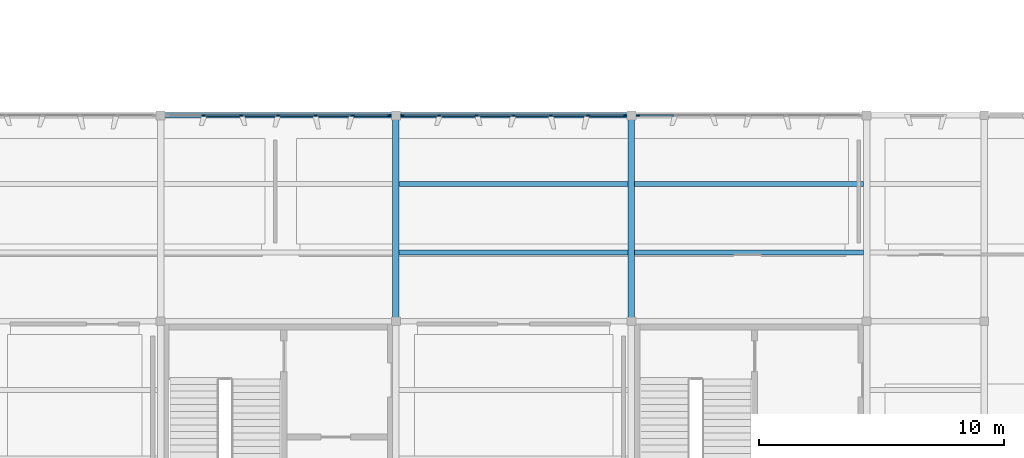
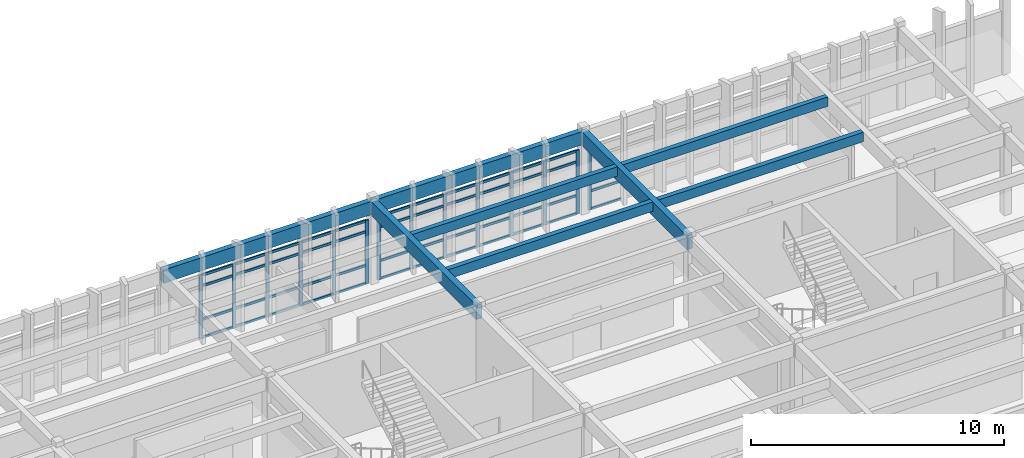
# One storey, part 9 of 18: 60 members, 8 beams, 3 elements without a shape of their own.
"""IFC4 building model written with IfcOpenShell, lengths in metres."""

from ifc_helpers import new_model, si_unit, direction, frame, origin, origin_2d, place, context, subcontext, project, spatial, rectangle, extrude, material, layer, layer_set, material_profile, profile_set, type_object, element, aggregate, save


model = new_model("IFC4")

# Units and contexts
model_context = context("Model", 3, precision=1e-05, world=origin(), true_north=direction((0.0, 1.0)))
body_context = subcontext(model_context, "Body", "Model", "MODEL_VIEW")
ifc_project = project(units=[si_unit("LENGTHUNIT", "METRE"), si_unit("AREAUNIT", "SQUARE_METRE"), si_unit("VOLUMEUNIT", "CUBIC_METRE"), si_unit("PLANEANGLEUNIT", "RADIAN"), si_unit("MASSUNIT", "GRAM", prefix="KILO")], contexts=[model_context])

# Site, building, storey
site_placement = place(None, origin())
site = spatial("IfcSite", under=ifc_project, at=site_placement, CompositionType="ELEMENT")
building_placement = place(site_placement, origin())
building = spatial("IfcBuilding", under=site, at=building_placement, Name="Kolvemor Railside Polytechnic", CompositionType="ELEMENT")
storey_placement = place(building_placement, frame((0.0, 0.0, 18.60009765625)))
storey = spatial("IfcBuildingStorey", under=building, at=storey_placement, Name="L04", CompositionType="ELEMENT", Elevation=18.60009765625)

# Beams
ifc_material_1 = material(Name="Glulam GL28h", Category="wood")
ifc_material_profile_1 = material_profile(ifc_material_1, rectangle(XDim=0.264892578125, YDim=0.679931640625, at=origin_2d()), Name="GL265x680")
ifc_profile_set_1 = profile_set([ifc_material_profile_1], Name="Glulam GL28h")
beam_type_1 = type_object("IfcBeamType", Name="BM-GL-GIRD2", PredefinedType="BEAM", material=ifc_profile_set_1)
for number, where, z_axis, x_axis, name in (
    (1, (96.0, 30.0, 3.6298828125), (0.0, 1.0, 0.0), (-1.0, 0.0, 0.0), "Primary Girder L05-GY 1567"),
    (2, (105.60009765625, 30.0, 3.6298828125), (0.0, 1.0, 0.0), (-1.0, 0.0, 0.0), "Primary Girder L05-GY 1571"),
):
    element("IfcBeam", number, at=place(storey_placement, frame(where, z_axis=z_axis, x_axis=x_axis)), inside=storey, type_object=beam_type_1, Name=name, PredefinedType="BEAM", context=body_context, shape_type="SweptSolid", body=[
        extrude(rectangle(XDim=0.264892578125, YDim=0.679931640625, at=origin_2d()), origin(), (0.0, 0.0, 1.0), 8.39990234375),
    ])
ifc_material_2 = material(Name="Glulam GL28h", Category="wood")
ifc_material_profile_2 = material_profile(ifc_material_2, rectangle(XDim=0.239990234375, YDim=0.639892578125, at=origin_2d()), Name="GL240x640")
ifc_profile_set_2 = profile_set([ifc_material_profile_2], Name="Glulam GL28h")
beam_type_2 = type_object("IfcBeamType", Name="BM-GL-GIRD5", PredefinedType="BEAM", material=ifc_profile_set_2)
for number, where, z_axis, x_axis, name in (
    (3, (86.39990234375, 38.39990234375, 3.64990234375), (1.0, 0.0, 0.0), (0.0, 1.0, 0.0), "Primary Girder L05-GX 1545"),
    (4, (96.0, 38.39990234375, 3.64990234375), (1.0, 0.0, 0.0), (0.0, 1.0, 0.0), "Primary Girder L05-GX 1546"),
):
    element("IfcBeam", number, at=place(storey_placement, frame(where, z_axis=z_axis, x_axis=x_axis)), inside=storey, type_object=beam_type_2, Name=name, PredefinedType="BEAM", context=body_context, shape_type="SweptSolid", body=[
        extrude(rectangle(XDim=0.239990234375, YDim=0.639892578125, at=origin_2d()), origin(), (0.0, 0.0, 1.0), 9.60009765625),
    ])
ifc_material_3 = material(Name="Glulam GL28h", Category="wood")
ifc_material_profile_3 = material_profile(ifc_material_3, rectangle(XDim=0.215087890625, YDim=0.449951171875, at=origin_2d()), Name="GL215x450")
ifc_profile_set_3 = profile_set([ifc_material_profile_3], Name="Glulam GL28h")
beam_type_3 = type_object("IfcBeamType", Name="BM-GL-JST2", PredefinedType="JOIST", material=ifc_profile_set_3)
for number, where, z_axis, x_axis, name in (
    (5, (96.133056640625, 32.800048828125, 3.744873046875), (1.0, 0.0, 0.0), (0.0, 1.0, 0.0), "Floor Joist L05-J1610"),
    (6, (96.133056640625, 35.60009765625, 3.744873046875), (1.0, 0.0, 0.0), (0.0, 1.0, 0.0), "Floor Joist L05-J1611"),
    (7, (105.73291015625, 32.800048828125, 3.744873046875), (1.0, 0.0, 0.0), (0.0, 1.0, 0.0), "Floor Joist L05-J1616"),
    (8, (105.73291015625, 35.60009765625, 3.744873046875), (1.0, 0.0, 0.0), (0.0, 1.0, 0.0), "Floor Joist L05-J1617"),
):
    element("IfcBeam", number, at=place(storey_placement, frame(where, z_axis=z_axis, x_axis=x_axis)), inside=storey, type_object=beam_type_3, Name=name, PredefinedType="JOIST", context=body_context, shape_type="SweptSolid", body=[
        extrude(rectangle(XDim=0.215087890625, YDim=0.449951171875, at=origin_2d()), origin(), (0.0, 0.0, 1.0), 9.333984375),
    ])

# Curtain wall, members
ifc_material_4 = material(Name="Anodised marine aluminium and laminated low-E glass", Category="aluminium")
ifc_layer = layer(ifc_material_4, 0.179931640625, Name="CW-UNIT-STD")
ifc_layer_set = layer_set([ifc_layer], Name="Anodised marine aluminium and laminated low-E glass")
curtain_wall_type = type_object("IfcCurtainWallType", Name="CW-UNIT-STD", PredefinedType="USERDEFINED", material=ifc_layer_set)
curtain_wall_1_placement = place(storey_placement, origin())
curtain_wall_1 = element("IfcCurtainWall", 9, at=curtain_wall_1_placement, inside=storey, type_object=curtain_wall_type, Name="Curtain Wall L04-133", ObjectType="UNITISED CURTAIN WALL", PredefinedType="USERDEFINED")
ifc_material_5 = material(Name="Anodised marine aluminium 6063-T6", Category="aluminium")
ifc_material_profile_4 = material_profile(ifc_material_5, rectangle(XDim=0.06494140625, YDim=0.14990234375, at=origin_2d()), Name="CW-MUL-65x150")
ifc_profile_set_4 = profile_set([ifc_material_profile_4], Name="Anodised marine aluminium 6063-T6")
member_type_1 = type_object("IfcMemberType", Name="CWM-65x150", PredefinedType="MULLION", material=ifc_profile_set_4)
member_1_placement = place(storey_placement, frame((95.7275390625, 38.39990234375, 0.0), z_axis=(0.0, 0.0, 1.0), x_axis=(0.0, -1.0, 0.0)))
member_1 = element("IfcMember", 10, at=member_1_placement, type_object=member_type_1, Name="CW-STD mullion 1", PredefinedType="MULLION", context=body_context, shape_type="SweptSolid", body=[
    extrude(rectangle(XDim=0.06494140625, YDim=0.14990234375, at=origin_2d()), origin(), (0.0, 0.0, 1.0), 3.06982421875),
])
member_2_placement = place(storey_placement, frame((94.239990234375, 38.39990234375, 0.0), z_axis=(0.0, 0.0, 1.0), x_axis=(0.0, -1.0, 0.0)))
member_2 = element("IfcMember", 11, at=member_2_placement, type_object=member_type_1, Name="CW-STD mullion 2", PredefinedType="MULLION", context=body_context, shape_type="SweptSolid", body=[
    extrude(rectangle(XDim=0.06494140625, YDim=0.14990234375, at=origin_2d()), origin(), (0.0, 0.0, 1.0), 3.06982421875),
])
member_3_placement = place(storey_placement, frame((92.719970703125, 38.39990234375, 0.0), z_axis=(0.0, 0.0, 1.0), x_axis=(0.0, -1.0, 0.0)))
member_3 = element("IfcMember", 12, at=member_3_placement, type_object=member_type_1, Name="CW-STD mullion 3", PredefinedType="MULLION", context=body_context, shape_type="SweptSolid", body=[
    extrude(rectangle(XDim=0.06494140625, YDim=0.14990234375, at=origin_2d()), origin(), (0.0, 0.0, 1.0), 3.06982421875),
])
member_4_placement = place(storey_placement, frame((91.199951171875, 38.39990234375, 0.0), z_axis=(0.0, 0.0, 1.0), x_axis=(0.0, -1.0, 0.0)))
member_4 = element("IfcMember", 13, at=member_4_placement, type_object=member_type_1, Name="CW-STD mullion 4", PredefinedType="MULLION", context=body_context, shape_type="SweptSolid", body=[
    extrude(rectangle(XDim=0.06494140625, YDim=0.14990234375, at=origin_2d()), origin(), (0.0, 0.0, 1.0), 3.06982421875),
])
member_5_placement = place(storey_placement, frame((89.679931640625, 38.39990234375, 0.0), z_axis=(0.0, 0.0, 1.0), x_axis=(0.0, -1.0, 0.0)))
member_5 = element("IfcMember", 14, at=member_5_placement, type_object=member_type_1, Name="CW-STD mullion 5", PredefinedType="MULLION", context=body_context, shape_type="SweptSolid", body=[
    extrude(rectangle(XDim=0.06494140625, YDim=0.14990234375, at=origin_2d()), origin(), (0.0, 0.0, 1.0), 3.06982421875),
])
member_6_placement = place(storey_placement, frame((88.159912109375, 38.39990234375, 0.0), z_axis=(0.0, 0.0, 1.0), x_axis=(0.0, -1.0, 0.0)))
member_6 = element("IfcMember", 15, at=member_6_placement, type_object=member_type_1, Name="CW-STD mullion 6", PredefinedType="MULLION", context=body_context, shape_type="SweptSolid", body=[
    extrude(rectangle(XDim=0.06494140625, YDim=0.14990234375, at=origin_2d()), origin(), (0.0, 0.0, 1.0), 3.06982421875),
])

curtain_wall_2_placement = place(storey_placement, origin())
curtain_wall_2 = element("IfcCurtainWall", 16, at=curtain_wall_2_placement, inside=storey, type_object=curtain_wall_type, Name="Curtain Wall L04-134", ObjectType="UNITISED CURTAIN WALL", PredefinedType="USERDEFINED")
member_7_placement = place(storey_placement, frame((105.327392578125, 38.39990234375, 0.0), z_axis=(0.0, 0.0, 1.0), x_axis=(0.0, -1.0, 0.0)))
member_7 = element("IfcMember", 17, at=member_7_placement, type_object=member_type_1, Name="CW-STD mullion 1", PredefinedType="MULLION", context=body_context, shape_type="SweptSolid", body=[
    extrude(rectangle(XDim=0.06494140625, YDim=0.14990234375, at=origin_2d()), origin(), (0.0, 0.0, 1.0), 3.06982421875),
])
member_8_placement = place(storey_placement, frame((103.840087890625, 38.39990234375, 0.0), z_axis=(0.0, 0.0, 1.0), x_axis=(0.0, -1.0, 0.0)))
member_8 = element("IfcMember", 18, at=member_8_placement, type_object=member_type_1, Name="CW-STD mullion 2", PredefinedType="MULLION", context=body_context, shape_type="SweptSolid", body=[
    extrude(rectangle(XDim=0.06494140625, YDim=0.14990234375, at=origin_2d()), origin(), (0.0, 0.0, 1.0), 3.06982421875),
])
member_9_placement = place(storey_placement, frame((102.320068359375, 38.39990234375, 0.0), z_axis=(0.0, 0.0, 1.0), x_axis=(0.0, -1.0, 0.0)))
member_9 = element("IfcMember", 19, at=member_9_placement, type_object=member_type_1, Name="CW-STD mullion 3", PredefinedType="MULLION", context=body_context, shape_type="SweptSolid", body=[
    extrude(rectangle(XDim=0.06494140625, YDim=0.14990234375, at=origin_2d()), origin(), (0.0, 0.0, 1.0), 3.06982421875),
])
member_10_placement = place(storey_placement, frame((100.800048828125, 38.39990234375, 0.0), z_axis=(0.0, 0.0, 1.0), x_axis=(0.0, -1.0, 0.0)))
member_10 = element("IfcMember", 20, at=member_10_placement, type_object=member_type_1, Name="CW-STD mullion 4", PredefinedType="MULLION", context=body_context, shape_type="SweptSolid", body=[
    extrude(rectangle(XDim=0.06494140625, YDim=0.14990234375, at=origin_2d()), origin(), (0.0, 0.0, 1.0), 3.06982421875),
])
member_11_placement = place(storey_placement, frame((99.280029296875, 38.39990234375, 0.0), z_axis=(0.0, 0.0, 1.0), x_axis=(0.0, -1.0, 0.0)))
member_11 = element("IfcMember", 21, at=member_11_placement, type_object=member_type_1, Name="CW-STD mullion 5", PredefinedType="MULLION", context=body_context, shape_type="SweptSolid", body=[
    extrude(rectangle(XDim=0.06494140625, YDim=0.14990234375, at=origin_2d()), origin(), (0.0, 0.0, 1.0), 3.06982421875),
])
member_12_placement = place(storey_placement, frame((97.760009765625, 38.39990234375, 0.0), z_axis=(0.0, 0.0, 1.0), x_axis=(0.0, -1.0, 0.0)))
member_12 = element("IfcMember", 22, at=member_12_placement, type_object=member_type_1, Name="CW-STD mullion 6", PredefinedType="MULLION", context=body_context, shape_type="SweptSolid", body=[
    extrude(rectangle(XDim=0.06494140625, YDim=0.14990234375, at=origin_2d()), origin(), (0.0, 0.0, 1.0), 3.06982421875),
])
member_13_placement = place(storey_placement, frame((96.2724609375, 38.39990234375, 0.0), z_axis=(0.0, 0.0, 1.0), x_axis=(0.0, -1.0, 0.0)))
member_13 = element("IfcMember", 23, at=member_13_placement, type_object=member_type_1, Name="CW-STD mullion 7", PredefinedType="MULLION", context=body_context, shape_type="SweptSolid", body=[
    extrude(rectangle(XDim=0.06494140625, YDim=0.14990234375, at=origin_2d()), origin(), (0.0, 0.0, 1.0), 3.06982421875),
])

# Curtain wall, member
curtain_wall_3_placement = place(storey_placement, origin())
curtain_wall_3 = element("IfcCurtainWall", 24, at=curtain_wall_3_placement, inside=storey, type_object=curtain_wall_type, Name="Curtain Wall L04-135", ObjectType="UNITISED CURTAIN WALL", PredefinedType="USERDEFINED")
member_14_placement = place(storey_placement, frame((105.87255859375, 38.39990234375, 0.0), z_axis=(0.0, 0.0, 1.0), x_axis=(0.0, -1.0, 0.0)))
member_14 = element("IfcMember", 25, at=member_14_placement, type_object=member_type_1, Name="CW-STD mullion 7", PredefinedType="MULLION", context=body_context, shape_type="SweptSolid", body=[
    extrude(rectangle(XDim=0.06494140625, YDim=0.14990234375, at=origin_2d()), origin(), (0.0, 0.0, 1.0), 3.06982421875),
])

# Member
ifc_material_6 = material(Name="Anodised marine aluminium 6063-T6", Category="aluminium")
ifc_material_profile_5 = material_profile(ifc_material_6, rectangle(XDim=0.06494140625, YDim=0.1201171875, at=origin_2d()), Name="CW-TRN-65x120")
ifc_profile_set_5 = profile_set([ifc_material_profile_5], Name="Anodised marine aluminium 6063-T6")
member_type_2 = type_object("IfcMemberType", Name="CWT-65x120", PredefinedType="USERDEFINED", material=ifc_profile_set_5)
member_15_placement = place(storey_placement, frame((95.695068359375, 38.39990234375, 0.032470703125), z_axis=(-1.0, 0.0, 0.0), x_axis=(0.0, -1.0, 0.0)))
member_15 = element("IfcMember", 26, at=member_15_placement, type_object=member_type_2, Name="CW-STD transom 1.1", ObjectType="TRANSOM", PredefinedType="USERDEFINED", context=body_context, shape_type="SweptSolid", body=[
    extrude(rectangle(XDim=0.06494140625, YDim=0.1201171875, at=origin_2d()), origin(), (0.0, 0.0, 1.0), 1.422607421875),
])

member_16_placement = place(storey_placement, frame((95.695068359375, 38.39990234375, 0.89990234375), z_axis=(-1.0, 0.0, 0.0), x_axis=(0.0, -1.0, 0.0)))
member_16 = element("IfcMember", 27, at=member_16_placement, type_object=member_type_2, Name="CW-STD transom 1.2", ObjectType="TRANSOM", PredefinedType="USERDEFINED", context=body_context, shape_type="SweptSolid", body=[
    extrude(rectangle(XDim=0.06494140625, YDim=0.1201171875, at=origin_2d()), origin(), (0.0, 0.0, 1.0), 1.422607421875),
])

member_17_placement = place(storey_placement, frame((95.695068359375, 38.39990234375, 2.52001953125), z_axis=(-1.0, 0.0, 0.0), x_axis=(0.0, -1.0, 0.0)))
member_17 = element("IfcMember", 28, at=member_17_placement, type_object=member_type_2, Name="CW-STD transom 1.3", ObjectType="TRANSOM", PredefinedType="USERDEFINED", context=body_context, shape_type="SweptSolid", body=[
    extrude(rectangle(XDim=0.06494140625, YDim=0.1201171875, at=origin_2d()), origin(), (0.0, 0.0, 1.0), 1.422607421875),
])

member_18_placement = place(storey_placement, frame((95.695068359375, 38.39990234375, 3.037353515625), z_axis=(-1.0, 0.0, 0.0), x_axis=(0.0, -1.0, 0.0)))
member_18 = element("IfcMember", 29, at=member_18_placement, type_object=member_type_2, Name="CW-STD transom 1.4", ObjectType="TRANSOM", PredefinedType="USERDEFINED", context=body_context, shape_type="SweptSolid", body=[
    extrude(rectangle(XDim=0.06494140625, YDim=0.1201171875, at=origin_2d()), origin(), (0.0, 0.0, 1.0), 1.422607421875),
])

member_19_placement = place(storey_placement, frame((94.20751953125, 38.39990234375, 0.032470703125), z_axis=(-1.0, 0.0, 0.0), x_axis=(0.0, -1.0, 0.0)))
member_19 = element("IfcMember", 30, at=member_19_placement, type_object=member_type_2, Name="CW-STD transom 2.1", ObjectType="TRANSOM", PredefinedType="USERDEFINED", context=body_context, shape_type="SweptSolid", body=[
    extrude(rectangle(XDim=0.06494140625, YDim=0.1201171875, at=origin_2d()), origin(), (0.0, 0.0, 1.0), 1.455078125),
])

member_20_placement = place(storey_placement, frame((94.20751953125, 38.39990234375, 0.89990234375), z_axis=(-1.0, 0.0, 0.0), x_axis=(0.0, -1.0, 0.0)))
member_20 = element("IfcMember", 31, at=member_20_placement, type_object=member_type_2, Name="CW-STD transom 2.2", ObjectType="TRANSOM", PredefinedType="USERDEFINED", context=body_context, shape_type="SweptSolid", body=[
    extrude(rectangle(XDim=0.06494140625, YDim=0.1201171875, at=origin_2d()), origin(), (0.0, 0.0, 1.0), 1.455078125),
])

member_21_placement = place(storey_placement, frame((94.20751953125, 38.39990234375, 2.52001953125), z_axis=(-1.0, 0.0, 0.0), x_axis=(0.0, -1.0, 0.0)))
member_21 = element("IfcMember", 32, at=member_21_placement, type_object=member_type_2, Name="CW-STD transom 2.3", ObjectType="TRANSOM", PredefinedType="USERDEFINED", context=body_context, shape_type="SweptSolid", body=[
    extrude(rectangle(XDim=0.06494140625, YDim=0.1201171875, at=origin_2d()), origin(), (0.0, 0.0, 1.0), 1.455078125),
])

member_22_placement = place(storey_placement, frame((94.20751953125, 38.39990234375, 3.037353515625), z_axis=(-1.0, 0.0, 0.0), x_axis=(0.0, -1.0, 0.0)))
member_22 = element("IfcMember", 33, at=member_22_placement, type_object=member_type_2, Name="CW-STD transom 2.4", ObjectType="TRANSOM", PredefinedType="USERDEFINED", context=body_context, shape_type="SweptSolid", body=[
    extrude(rectangle(XDim=0.06494140625, YDim=0.1201171875, at=origin_2d()), origin(), (0.0, 0.0, 1.0), 1.455078125),
])

member_23_placement = place(storey_placement, frame((92.6875, 38.39990234375, 0.032470703125), z_axis=(-1.0, 0.0, 0.0), x_axis=(0.0, -1.0, 0.0)))
member_23 = element("IfcMember", 34, at=member_23_placement, type_object=member_type_2, Name="CW-STD transom 3.1", ObjectType="TRANSOM", PredefinedType="USERDEFINED", context=body_context, shape_type="SweptSolid", body=[
    extrude(rectangle(XDim=0.06494140625, YDim=0.1201171875, at=origin_2d()), origin(), (0.0, 0.0, 1.0), 1.455078125),
])

member_24_placement = place(storey_placement, frame((92.6875, 38.39990234375, 0.89990234375), z_axis=(-1.0, 0.0, 0.0), x_axis=(0.0, -1.0, 0.0)))
member_24 = element("IfcMember", 35, at=member_24_placement, type_object=member_type_2, Name="CW-STD transom 3.2", ObjectType="TRANSOM", PredefinedType="USERDEFINED", context=body_context, shape_type="SweptSolid", body=[
    extrude(rectangle(XDim=0.06494140625, YDim=0.1201171875, at=origin_2d()), origin(), (0.0, 0.0, 1.0), 1.455078125),
])

member_25_placement = place(storey_placement, frame((92.6875, 38.39990234375, 2.52001953125), z_axis=(-1.0, 0.0, 0.0), x_axis=(0.0, -1.0, 0.0)))
member_25 = element("IfcMember", 36, at=member_25_placement, type_object=member_type_2, Name="CW-STD transom 3.3", ObjectType="TRANSOM", PredefinedType="USERDEFINED", context=body_context, shape_type="SweptSolid", body=[
    extrude(rectangle(XDim=0.06494140625, YDim=0.1201171875, at=origin_2d()), origin(), (0.0, 0.0, 1.0), 1.455078125),
])

member_26_placement = place(storey_placement, frame((92.6875, 38.39990234375, 3.037353515625), z_axis=(-1.0, 0.0, 0.0), x_axis=(0.0, -1.0, 0.0)))
member_26 = element("IfcMember", 37, at=member_26_placement, type_object=member_type_2, Name="CW-STD transom 3.4", ObjectType="TRANSOM", PredefinedType="USERDEFINED", context=body_context, shape_type="SweptSolid", body=[
    extrude(rectangle(XDim=0.06494140625, YDim=0.1201171875, at=origin_2d()), origin(), (0.0, 0.0, 1.0), 1.455078125),
])

member_27_placement = place(storey_placement, frame((91.16748046875, 38.39990234375, 0.032470703125), z_axis=(-1.0, 0.0, 0.0), x_axis=(0.0, -1.0, 0.0)))
member_27 = element("IfcMember", 38, at=member_27_placement, type_object=member_type_2, Name="CW-STD transom 4.1", ObjectType="TRANSOM", PredefinedType="USERDEFINED", context=body_context, shape_type="SweptSolid", body=[
    extrude(rectangle(XDim=0.06494140625, YDim=0.1201171875, at=origin_2d()), origin(), (0.0, 0.0, 1.0), 1.455078125),
])

member_28_placement = place(storey_placement, frame((91.16748046875, 38.39990234375, 0.89990234375), z_axis=(-1.0, 0.0, 0.0), x_axis=(0.0, -1.0, 0.0)))
member_28 = element("IfcMember", 39, at=member_28_placement, type_object=member_type_2, Name="CW-STD transom 4.2", ObjectType="TRANSOM", PredefinedType="USERDEFINED", context=body_context, shape_type="SweptSolid", body=[
    extrude(rectangle(XDim=0.06494140625, YDim=0.1201171875, at=origin_2d()), origin(), (0.0, 0.0, 1.0), 1.455078125),
])

member_29_placement = place(storey_placement, frame((91.16748046875, 38.39990234375, 2.52001953125), z_axis=(-1.0, 0.0, 0.0), x_axis=(0.0, -1.0, 0.0)))
member_29 = element("IfcMember", 40, at=member_29_placement, type_object=member_type_2, Name="CW-STD transom 4.3", ObjectType="TRANSOM", PredefinedType="USERDEFINED", context=body_context, shape_type="SweptSolid", body=[
    extrude(rectangle(XDim=0.06494140625, YDim=0.1201171875, at=origin_2d()), origin(), (0.0, 0.0, 1.0), 1.455078125),
])

member_30_placement = place(storey_placement, frame((91.16748046875, 38.39990234375, 3.037353515625), z_axis=(-1.0, 0.0, 0.0), x_axis=(0.0, -1.0, 0.0)))
member_30 = element("IfcMember", 41, at=member_30_placement, type_object=member_type_2, Name="CW-STD transom 4.4", ObjectType="TRANSOM", PredefinedType="USERDEFINED", context=body_context, shape_type="SweptSolid", body=[
    extrude(rectangle(XDim=0.06494140625, YDim=0.1201171875, at=origin_2d()), origin(), (0.0, 0.0, 1.0), 1.455078125),
])

member_31_placement = place(storey_placement, frame((89.6474609375, 38.39990234375, 0.032470703125), z_axis=(-1.0, 0.0, 0.0), x_axis=(0.0, -1.0, 0.0)))
member_31 = element("IfcMember", 42, at=member_31_placement, type_object=member_type_2, Name="CW-STD transom 5.1", ObjectType="TRANSOM", PredefinedType="USERDEFINED", context=body_context, shape_type="SweptSolid", body=[
    extrude(rectangle(XDim=0.06494140625, YDim=0.1201171875, at=origin_2d()), origin(), (0.0, 0.0, 1.0), 1.455078125),
])

member_32_placement = place(storey_placement, frame((89.6474609375, 38.39990234375, 0.89990234375), z_axis=(-1.0, 0.0, 0.0), x_axis=(0.0, -1.0, 0.0)))
member_32 = element("IfcMember", 43, at=member_32_placement, type_object=member_type_2, Name="CW-STD transom 5.2", ObjectType="TRANSOM", PredefinedType="USERDEFINED", context=body_context, shape_type="SweptSolid", body=[
    extrude(rectangle(XDim=0.06494140625, YDim=0.1201171875, at=origin_2d()), origin(), (0.0, 0.0, 1.0), 1.455078125),
])

member_33_placement = place(storey_placement, frame((89.6474609375, 38.39990234375, 2.52001953125), z_axis=(-1.0, 0.0, 0.0), x_axis=(0.0, -1.0, 0.0)))
member_33 = element("IfcMember", 44, at=member_33_placement, type_object=member_type_2, Name="CW-STD transom 5.3", ObjectType="TRANSOM", PredefinedType="USERDEFINED", context=body_context, shape_type="SweptSolid", body=[
    extrude(rectangle(XDim=0.06494140625, YDim=0.1201171875, at=origin_2d()), origin(), (0.0, 0.0, 1.0), 1.455078125),
])

member_34_placement = place(storey_placement, frame((89.6474609375, 38.39990234375, 3.037353515625), z_axis=(-1.0, 0.0, 0.0), x_axis=(0.0, -1.0, 0.0)))
member_34 = element("IfcMember", 45, at=member_34_placement, type_object=member_type_2, Name="CW-STD transom 5.4", ObjectType="TRANSOM", PredefinedType="USERDEFINED", context=body_context, shape_type="SweptSolid", body=[
    extrude(rectangle(XDim=0.06494140625, YDim=0.1201171875, at=origin_2d()), origin(), (0.0, 0.0, 1.0), 1.455078125),
])

aggregate(curtain_wall_1, [member_1, member_2, member_3, member_4, member_5, member_6, member_15, member_16, member_17, member_18, member_19, member_20, member_21, member_22, member_23, member_24, member_25, member_26, member_27, member_28, member_29, member_30, member_31, member_32, member_33, member_34])

member_35_placement = place(storey_placement, frame((105.294921875, 38.39990234375, 0.032470703125), z_axis=(-1.0, 0.0, 0.0), x_axis=(0.0, -1.0, 0.0)))
member_35 = element("IfcMember", 46, at=member_35_placement, type_object=member_type_2, Name="CW-STD transom 1.1", ObjectType="TRANSOM", PredefinedType="USERDEFINED", context=body_context, shape_type="SweptSolid", body=[
    extrude(rectangle(XDim=0.06494140625, YDim=0.1201171875, at=origin_2d()), origin(), (0.0, 0.0, 1.0), 1.42236328125),
])

member_36_placement = place(storey_placement, frame((105.294921875, 38.39990234375, 0.89990234375), z_axis=(-1.0, 0.0, 0.0), x_axis=(0.0, -1.0, 0.0)))
member_36 = element("IfcMember", 47, at=member_36_placement, type_object=member_type_2, Name="CW-STD transom 1.2", ObjectType="TRANSOM", PredefinedType="USERDEFINED", context=body_context, shape_type="SweptSolid", body=[
    extrude(rectangle(XDim=0.06494140625, YDim=0.1201171875, at=origin_2d()), origin(), (0.0, 0.0, 1.0), 1.42236328125),
])

member_37_placement = place(storey_placement, frame((105.294921875, 38.39990234375, 2.52001953125), z_axis=(-1.0, 0.0, 0.0), x_axis=(0.0, -1.0, 0.0)))
member_37 = element("IfcMember", 48, at=member_37_placement, type_object=member_type_2, Name="CW-STD transom 1.3", ObjectType="TRANSOM", PredefinedType="USERDEFINED", context=body_context, shape_type="SweptSolid", body=[
    extrude(rectangle(XDim=0.06494140625, YDim=0.1201171875, at=origin_2d()), origin(), (0.0, 0.0, 1.0), 1.42236328125),
])

member_38_placement = place(storey_placement, frame((105.294921875, 38.39990234375, 3.037353515625), z_axis=(-1.0, 0.0, 0.0), x_axis=(0.0, -1.0, 0.0)))
member_38 = element("IfcMember", 49, at=member_38_placement, type_object=member_type_2, Name="CW-STD transom 1.4", ObjectType="TRANSOM", PredefinedType="USERDEFINED", context=body_context, shape_type="SweptSolid", body=[
    extrude(rectangle(XDim=0.06494140625, YDim=0.1201171875, at=origin_2d()), origin(), (0.0, 0.0, 1.0), 1.42236328125),
])

member_39_placement = place(storey_placement, frame((103.8076171875, 38.39990234375, 0.032470703125), z_axis=(-1.0, 0.0, 0.0), x_axis=(0.0, -1.0, 0.0)))
member_39 = element("IfcMember", 50, at=member_39_placement, type_object=member_type_2, Name="CW-STD transom 2.1", ObjectType="TRANSOM", PredefinedType="USERDEFINED", context=body_context, shape_type="SweptSolid", body=[
    extrude(rectangle(XDim=0.06494140625, YDim=0.1201171875, at=origin_2d()), origin(), (0.0, 0.0, 1.0), 1.455078125),
])

member_40_placement = place(storey_placement, frame((103.8076171875, 38.39990234375, 0.89990234375), z_axis=(-1.0, 0.0, 0.0), x_axis=(0.0, -1.0, 0.0)))
member_40 = element("IfcMember", 51, at=member_40_placement, type_object=member_type_2, Name="CW-STD transom 2.2", ObjectType="TRANSOM", PredefinedType="USERDEFINED", context=body_context, shape_type="SweptSolid", body=[
    extrude(rectangle(XDim=0.06494140625, YDim=0.1201171875, at=origin_2d()), origin(), (0.0, 0.0, 1.0), 1.455078125),
])

member_41_placement = place(storey_placement, frame((103.8076171875, 38.39990234375, 2.52001953125), z_axis=(-1.0, 0.0, 0.0), x_axis=(0.0, -1.0, 0.0)))
member_41 = element("IfcMember", 52, at=member_41_placement, type_object=member_type_2, Name="CW-STD transom 2.3", ObjectType="TRANSOM", PredefinedType="USERDEFINED", context=body_context, shape_type="SweptSolid", body=[
    extrude(rectangle(XDim=0.06494140625, YDim=0.1201171875, at=origin_2d()), origin(), (0.0, 0.0, 1.0), 1.455078125),
])

member_42_placement = place(storey_placement, frame((103.8076171875, 38.39990234375, 3.037353515625), z_axis=(-1.0, 0.0, 0.0), x_axis=(0.0, -1.0, 0.0)))
member_42 = element("IfcMember", 53, at=member_42_placement, type_object=member_type_2, Name="CW-STD transom 2.4", ObjectType="TRANSOM", PredefinedType="USERDEFINED", context=body_context, shape_type="SweptSolid", body=[
    extrude(rectangle(XDim=0.06494140625, YDim=0.1201171875, at=origin_2d()), origin(), (0.0, 0.0, 1.0), 1.455078125),
])

member_43_placement = place(storey_placement, frame((102.28759765625, 38.39990234375, 0.032470703125), z_axis=(-1.0, 0.0, 0.0), x_axis=(0.0, -1.0, 0.0)))
member_43 = element("IfcMember", 54, at=member_43_placement, type_object=member_type_2, Name="CW-STD transom 3.1", ObjectType="TRANSOM", PredefinedType="USERDEFINED", context=body_context, shape_type="SweptSolid", body=[
    extrude(rectangle(XDim=0.06494140625, YDim=0.1201171875, at=origin_2d()), origin(), (0.0, 0.0, 1.0), 1.455078125),
])

member_44_placement = place(storey_placement, frame((102.28759765625, 38.39990234375, 0.89990234375), z_axis=(-1.0, 0.0, 0.0), x_axis=(0.0, -1.0, 0.0)))
member_44 = element("IfcMember", 55, at=member_44_placement, type_object=member_type_2, Name="CW-STD transom 3.2", ObjectType="TRANSOM", PredefinedType="USERDEFINED", context=body_context, shape_type="SweptSolid", body=[
    extrude(rectangle(XDim=0.06494140625, YDim=0.1201171875, at=origin_2d()), origin(), (0.0, 0.0, 1.0), 1.455078125),
])

member_45_placement = place(storey_placement, frame((102.28759765625, 38.39990234375, 2.52001953125), z_axis=(-1.0, 0.0, 0.0), x_axis=(0.0, -1.0, 0.0)))
member_45 = element("IfcMember", 56, at=member_45_placement, type_object=member_type_2, Name="CW-STD transom 3.3", ObjectType="TRANSOM", PredefinedType="USERDEFINED", context=body_context, shape_type="SweptSolid", body=[
    extrude(rectangle(XDim=0.06494140625, YDim=0.1201171875, at=origin_2d()), origin(), (0.0, 0.0, 1.0), 1.455078125),
])

member_46_placement = place(storey_placement, frame((102.28759765625, 38.39990234375, 3.037353515625), z_axis=(-1.0, 0.0, 0.0), x_axis=(0.0, -1.0, 0.0)))
member_46 = element("IfcMember", 57, at=member_46_placement, type_object=member_type_2, Name="CW-STD transom 3.4", ObjectType="TRANSOM", PredefinedType="USERDEFINED", context=body_context, shape_type="SweptSolid", body=[
    extrude(rectangle(XDim=0.06494140625, YDim=0.1201171875, at=origin_2d()), origin(), (0.0, 0.0, 1.0), 1.455078125),
])

member_47_placement = place(storey_placement, frame((100.767578125, 38.39990234375, 0.032470703125), z_axis=(-1.0, 0.0, 0.0), x_axis=(0.0, -1.0, 0.0)))
member_47 = element("IfcMember", 58, at=member_47_placement, type_object=member_type_2, Name="CW-STD transom 4.1", ObjectType="TRANSOM", PredefinedType="USERDEFINED", context=body_context, shape_type="SweptSolid", body=[
    extrude(rectangle(XDim=0.06494140625, YDim=0.1201171875, at=origin_2d()), origin(), (0.0, 0.0, 1.0), 1.455078125),
])

member_48_placement = place(storey_placement, frame((100.767578125, 38.39990234375, 0.89990234375), z_axis=(-1.0, 0.0, 0.0), x_axis=(0.0, -1.0, 0.0)))
member_48 = element("IfcMember", 59, at=member_48_placement, type_object=member_type_2, Name="CW-STD transom 4.2", ObjectType="TRANSOM", PredefinedType="USERDEFINED", context=body_context, shape_type="SweptSolid", body=[
    extrude(rectangle(XDim=0.06494140625, YDim=0.1201171875, at=origin_2d()), origin(), (0.0, 0.0, 1.0), 1.455078125),
])

member_49_placement = place(storey_placement, frame((100.767578125, 38.39990234375, 2.52001953125), z_axis=(-1.0, 0.0, 0.0), x_axis=(0.0, -1.0, 0.0)))
member_49 = element("IfcMember", 60, at=member_49_placement, type_object=member_type_2, Name="CW-STD transom 4.3", ObjectType="TRANSOM", PredefinedType="USERDEFINED", context=body_context, shape_type="SweptSolid", body=[
    extrude(rectangle(XDim=0.06494140625, YDim=0.1201171875, at=origin_2d()), origin(), (0.0, 0.0, 1.0), 1.455078125),
])

member_50_placement = place(storey_placement, frame((100.767578125, 38.39990234375, 3.037353515625), z_axis=(-1.0, 0.0, 0.0), x_axis=(0.0, -1.0, 0.0)))
member_50 = element("IfcMember", 61, at=member_50_placement, type_object=member_type_2, Name="CW-STD transom 4.4", ObjectType="TRANSOM", PredefinedType="USERDEFINED", context=body_context, shape_type="SweptSolid", body=[
    extrude(rectangle(XDim=0.06494140625, YDim=0.1201171875, at=origin_2d()), origin(), (0.0, 0.0, 1.0), 1.455078125),
])

member_51_placement = place(storey_placement, frame((99.24755859375, 38.39990234375, 0.032470703125), z_axis=(-1.0, 0.0, 0.0), x_axis=(0.0, -1.0, 0.0)))
member_51 = element("IfcMember", 62, at=member_51_placement, type_object=member_type_2, Name="CW-STD transom 5.1", ObjectType="TRANSOM", PredefinedType="USERDEFINED", context=body_context, shape_type="SweptSolid", body=[
    extrude(rectangle(XDim=0.06494140625, YDim=0.1201171875, at=origin_2d()), origin(), (0.0, 0.0, 1.0), 1.455078125),
])

member_52_placement = place(storey_placement, frame((99.24755859375, 38.39990234375, 0.89990234375), z_axis=(-1.0, 0.0, 0.0), x_axis=(0.0, -1.0, 0.0)))
member_52 = element("IfcMember", 63, at=member_52_placement, type_object=member_type_2, Name="CW-STD transom 5.2", ObjectType="TRANSOM", PredefinedType="USERDEFINED", context=body_context, shape_type="SweptSolid", body=[
    extrude(rectangle(XDim=0.06494140625, YDim=0.1201171875, at=origin_2d()), origin(), (0.0, 0.0, 1.0), 1.455078125),
])

member_53_placement = place(storey_placement, frame((99.24755859375, 38.39990234375, 2.52001953125), z_axis=(-1.0, 0.0, 0.0), x_axis=(0.0, -1.0, 0.0)))
member_53 = element("IfcMember", 64, at=member_53_placement, type_object=member_type_2, Name="CW-STD transom 5.3", ObjectType="TRANSOM", PredefinedType="USERDEFINED", context=body_context, shape_type="SweptSolid", body=[
    extrude(rectangle(XDim=0.06494140625, YDim=0.1201171875, at=origin_2d()), origin(), (0.0, 0.0, 1.0), 1.455078125),
])

member_54_placement = place(storey_placement, frame((99.24755859375, 38.39990234375, 3.037353515625), z_axis=(-1.0, 0.0, 0.0), x_axis=(0.0, -1.0, 0.0)))
member_54 = element("IfcMember", 65, at=member_54_placement, type_object=member_type_2, Name="CW-STD transom 5.4", ObjectType="TRANSOM", PredefinedType="USERDEFINED", context=body_context, shape_type="SweptSolid", body=[
    extrude(rectangle(XDim=0.06494140625, YDim=0.1201171875, at=origin_2d()), origin(), (0.0, 0.0, 1.0), 1.455078125),
])

member_55_placement = place(storey_placement, frame((97.7275390625, 38.39990234375, 0.032470703125), z_axis=(-1.0, 0.0, 0.0), x_axis=(0.0, -1.0, 0.0)))
member_55 = element("IfcMember", 66, at=member_55_placement, type_object=member_type_2, Name="CW-STD transom 6.1", ObjectType="TRANSOM", PredefinedType="USERDEFINED", context=body_context, shape_type="SweptSolid", body=[
    extrude(rectangle(XDim=0.06494140625, YDim=0.1201171875, at=origin_2d()), origin(), (0.0, 0.0, 1.0), 1.422607421875),
])

member_56_placement = place(storey_placement, frame((97.7275390625, 38.39990234375, 0.89990234375), z_axis=(-1.0, 0.0, 0.0), x_axis=(0.0, -1.0, 0.0)))
member_56 = element("IfcMember", 67, at=member_56_placement, type_object=member_type_2, Name="CW-STD transom 6.2", ObjectType="TRANSOM", PredefinedType="USERDEFINED", context=body_context, shape_type="SweptSolid", body=[
    extrude(rectangle(XDim=0.06494140625, YDim=0.1201171875, at=origin_2d()), origin(), (0.0, 0.0, 1.0), 1.422607421875),
])

member_57_placement = place(storey_placement, frame((97.7275390625, 38.39990234375, 2.52001953125), z_axis=(-1.0, 0.0, 0.0), x_axis=(0.0, -1.0, 0.0)))
member_57 = element("IfcMember", 68, at=member_57_placement, type_object=member_type_2, Name="CW-STD transom 6.3", ObjectType="TRANSOM", PredefinedType="USERDEFINED", context=body_context, shape_type="SweptSolid", body=[
    extrude(rectangle(XDim=0.06494140625, YDim=0.1201171875, at=origin_2d()), origin(), (0.0, 0.0, 1.0), 1.422607421875),
])

member_58_placement = place(storey_placement, frame((97.7275390625, 38.39990234375, 3.037353515625), z_axis=(-1.0, 0.0, 0.0), x_axis=(0.0, -1.0, 0.0)))
member_58 = element("IfcMember", 69, at=member_58_placement, type_object=member_type_2, Name="CW-STD transom 6.4", ObjectType="TRANSOM", PredefinedType="USERDEFINED", context=body_context, shape_type="SweptSolid", body=[
    extrude(rectangle(XDim=0.06494140625, YDim=0.1201171875, at=origin_2d()), origin(), (0.0, 0.0, 1.0), 1.422607421875),
])

aggregate(curtain_wall_2, [member_7, member_8, member_9, member_10, member_11, member_12, member_13, member_35, member_36, member_37, member_38, member_39, member_40, member_41, member_42, member_43, member_44, member_45, member_46, member_47, member_48, member_49, member_50, member_51, member_52, member_53, member_54, member_55, member_56, member_57, member_58])

member_59_placement = place(storey_placement, frame((107.327392578125, 38.39990234375, 0.032470703125), z_axis=(-1.0, 0.0, 0.0), x_axis=(0.0, -1.0, 0.0)))
member_59 = element("IfcMember", 70, at=member_59_placement, type_object=member_type_2, Name="CW-STD transom 6.1", ObjectType="TRANSOM", PredefinedType="USERDEFINED", context=body_context, shape_type="SweptSolid", body=[
    extrude(rectangle(XDim=0.06494140625, YDim=0.1201171875, at=origin_2d()), origin(), (0.0, 0.0, 1.0), 1.42236328125),
])

member_60_placement = place(storey_placement, frame((107.327392578125, 38.39990234375, 0.89990234375), z_axis=(-1.0, 0.0, 0.0), x_axis=(0.0, -1.0, 0.0)))
member_60 = element("IfcMember", 71, at=member_60_placement, type_object=member_type_2, Name="CW-STD transom 6.2", ObjectType="TRANSOM", PredefinedType="USERDEFINED", context=body_context, shape_type="SweptSolid", body=[
    extrude(rectangle(XDim=0.06494140625, YDim=0.1201171875, at=origin_2d()), origin(), (0.0, 0.0, 1.0), 1.42236328125),
])

aggregate(curtain_wall_3, [member_14, member_59, member_60])

save(model, "model.ifc")
